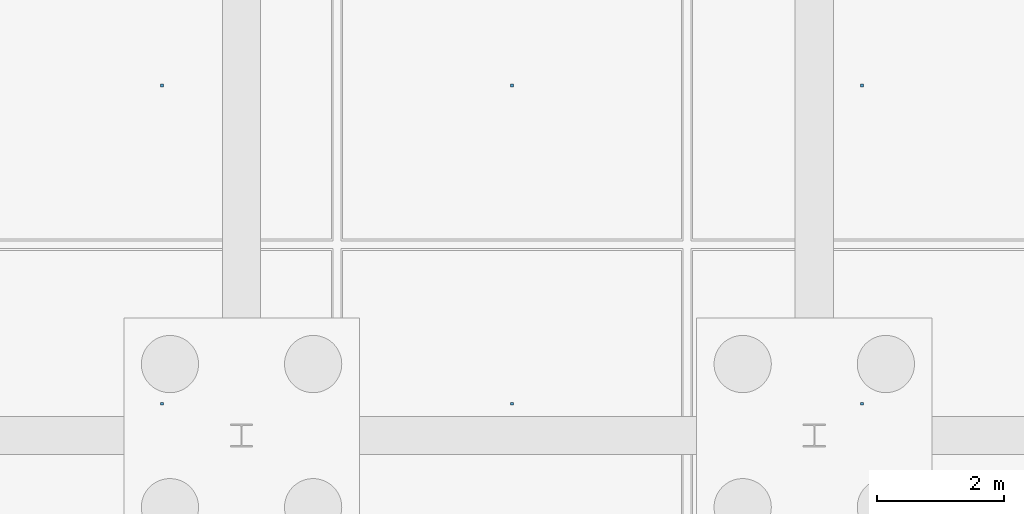
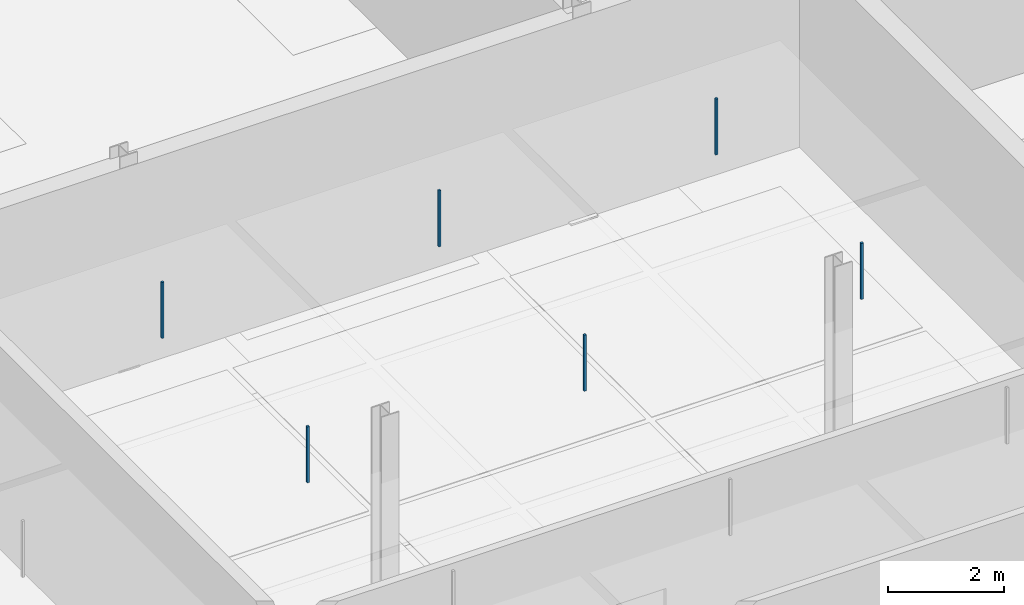
# One storey, part 38 of 48: 6 discrete accessories.
"""IFC4 building model written with IfcOpenShell, lengths in metres."""

from ifc_helpers import new_model, si_unit, direction, frame, origin, origin_2d, place, context, subcontext, project, spatial, rectangle, extrude, material, type_object, element, save


model = new_model("IFC4")

# Units and contexts
model_context = context("Model", 3, precision=1e-05, world=origin(), true_north=direction((0.0, 1.0)))
body_context = subcontext(model_context, "Body", "Model", "MODEL_VIEW")
ifc_project = project(units=[si_unit("LENGTHUNIT", "METRE"), si_unit("AREAUNIT", "SQUARE_METRE"), si_unit("VOLUMEUNIT", "CUBIC_METRE"), si_unit("PLANEANGLEUNIT", "RADIAN"), si_unit("MASSUNIT", "GRAM", prefix="KILO"), si_unit("THERMODYNAMICTEMPERATUREUNIT", "KELVIN"), si_unit("POWERUNIT", "WATT")], contexts=[model_context])

# Site, building, storey
site_placement = place(None, origin())
site = spatial("IfcSite", under=ifc_project, at=site_placement, CompositionType="ELEMENT")
building_placement = place(site_placement, origin())
building = spatial("IfcBuilding", under=site, at=building_placement, Name="Tallowbark Science Centre", CompositionType="ELEMENT")
storey_placement = place(building_placement, frame((0.0, 0.0, -4.5)))
storey = spatial("IfcBuildingStorey", under=building, at=storey_placement, Name="B1", CompositionType="ELEMENT", Elevation=-4.5)

# Discrete accessories
ifc_material = material(Name="Galvanised Steel Grade C350L0 (350 MPa)", Category="steel")
discrete_accessory_type = type_object("IfcDiscreteAccessoryType", Name="ACC-CLG-HNG", PredefinedType="BRACKET", material=ifc_material)
for number, where, z_axis, x_axis, name in (
    (1, (88.75, 90.5, 3.10498046875), (0.0, 0.0, 1.0), (1.0, 0.0, 0.0), "Ceiling Hanger Bracket B1-51"),
    (2, (88.75, 95.5, 3.10498046875), (0.0, 0.0, 1.0), (1.0, 0.0, 0.0), "Ceiling Hanger Bracket B1-52"),
    (3, (94.25, 90.5, 3.10498046875), (0.0, 0.0, 1.0), (1.0, 0.0, 0.0), "Ceiling Hanger Bracket B1-56"),
    (4, (94.25, 95.5, 3.10498046875), (0.0, 0.0, 1.0), (1.0, 0.0, 0.0), "Ceiling Hanger Bracket B1-57"),
    (5, (99.75, 90.5, 3.10498046875), (0.0, 0.0, 1.0), (1.0, 0.0, 0.0), "Ceiling Hanger Bracket B1-61"),
    (6, (99.75, 95.5, 3.10498046875), (0.0, 0.0, 1.0), (1.0, 0.0, 0.0), "Ceiling Hanger Bracket B1-62"),
):
    element("IfcDiscreteAccessory", number, at=place(storey_placement, frame(where, z_axis=z_axis, x_axis=x_axis)), inside=storey, type_object=discrete_accessory_type, Name=name, PredefinedType="BRACKET", context=body_context, shape_type="SweptSolid", body=[
        extrude(rectangle(XDim=0.044921875, YDim=0.044921875, at=origin_2d()), origin(), (0.0, 0.0, 1.0), 1.177978515625),
    ])

save(model, "model.ifc")
